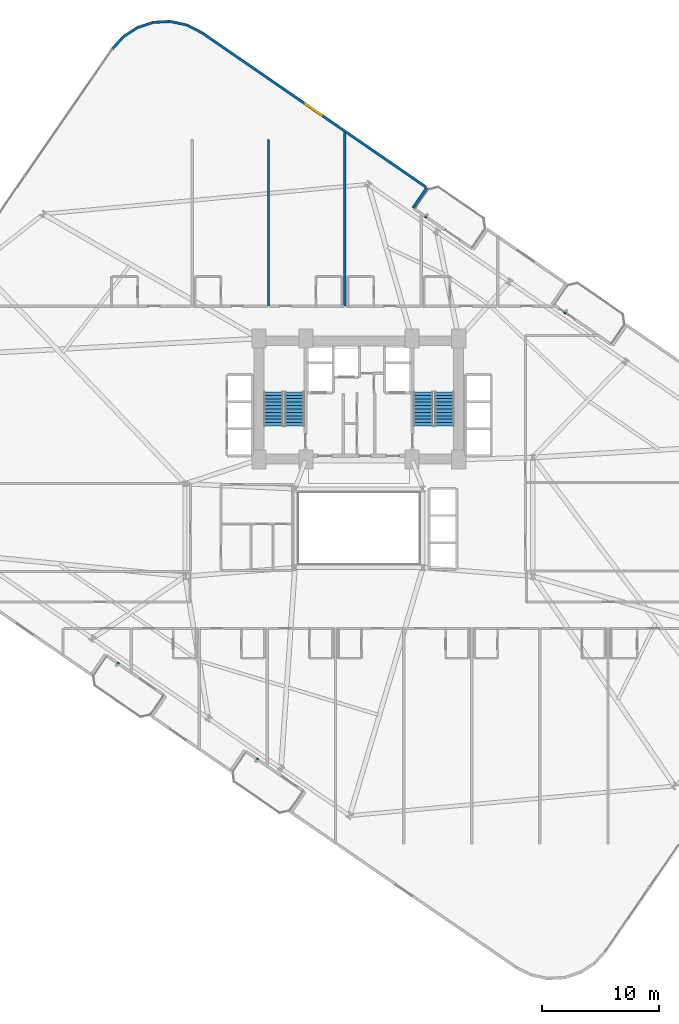
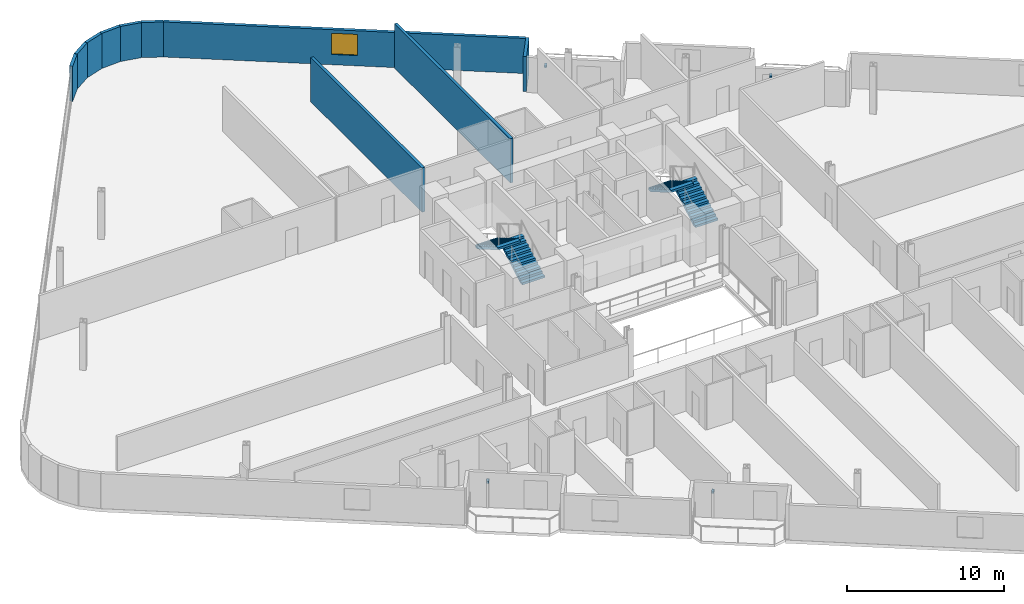
# One storey, part 22 of 25: 10 walls, 4 discrete accessories, 4 stair flights, 1 window, 1 opening, 2 elements without a shape of their own.
"""IFC4 building model written with IfcOpenShell, lengths in metres."""

from ifc_helpers import new_model, si_unit, direction, frame, frame_2d, origin, origin_2d, place, context, subcontext, project, spatial, polyline, rectangle, outline, extrude, source, transform, mapped, material, layer, layer_set, type_object, element, fill, aggregate, save


model = new_model("IFC4")

# Units and contexts
model_context = context("Model", 3, precision=1e-05, world=origin(), true_north=direction((0.0, 1.0)))
body_context = subcontext(model_context, "Body", "Model", "MODEL_VIEW")
ifc_project = project(units=[si_unit("LENGTHUNIT", "METRE"), si_unit("AREAUNIT", "SQUARE_METRE"), si_unit("VOLUMEUNIT", "CUBIC_METRE"), si_unit("PLANEANGLEUNIT", "RADIAN"), si_unit("MASSUNIT", "GRAM", prefix="KILO")], contexts=[model_context])

# Site, building, storey
site_placement = place(None, origin())
site = spatial("IfcSite", under=ifc_project, at=site_placement, CompositionType="ELEMENT")
building_placement = place(site_placement, origin())
building = spatial("IfcBuilding", under=site, at=building_placement, Name="Varnelok Gate Tower", CompositionType="ELEMENT")
storey_placement = place(building_placement, frame((0.0, 0.0, 64.0)))
storey = spatial("IfcBuildingStorey", under=building, at=storey_placement, Name="L15", CompositionType="ELEMENT", Elevation=64.0)

# Wall
ifc_material_1 = material(Name="Concrete C45/55", Category="concrete")
ifc_layer_1 = layer(ifc_material_1, 0.219970703125)
ifc_layer_set_1 = layer_set([ifc_layer_1], Name="Concrete C45/55")
wall_type_1 = type_object("IfcWallType", Name="EW-BALC-220", PredefinedType="SOLIDWALL", material=ifc_layer_set_1)
wall_1_placement = place(storey_placement, frame((43.793701171875, 50.161376953125, 0.0), z_axis=(0.0, 0.0, 1.0), x_axis=(0.567352541689, 0.823475010816, 0.0)))
element("IfcWall", 1, at=wall_1_placement, inside=storey, type_object=wall_type_1, Name="L15 Perimeter Facade Closure Wall 31", PredefinedType="SOLIDWALL", context=body_context, shape_type="SweptSolid", body=[
    extrude(rectangle(XDim=2.099853515625, YDim=0.219970703125, at=frame_2d((1.0498046875, 0.0))), origin(), (0.0, 0.0, 1.0), 2.72998046875),
])

# Wall, opening, window
wall_2_placement = place(storey_placement, frame((44.882080078125, 51.961669921875, 0.0), z_axis=(0.0, 0.0, 1.0), x_axis=(-0.823534427573, 0.567266292497, 0.0)))
wall_2 = element("IfcWall", 2, at=wall_2_placement, inside=storey, type_object=wall_type_1, Name="L15 Perimeter Facade Closure Wall 32", PredefinedType="SOLIDWALL", context=body_context, shape_type="SweptSolid", body=[
    extrude(rectangle(XDim=23.147216796875, YDim=0.219970703125, at=frame_2d((11.57373046875, 0.0))), origin(), (0.0, 0.0, 1.0), 2.72998046875),
])
opening_placement = place(wall_2_placement, frame((10.74853515625, 0.0, 0.800048828125)))
opening = element("IfcOpeningElement", 3, at=opening_placement, cuts=wall_2, Name="Opening WN3", PredefinedType="OPENING", context=body_context, shape_type="SweptSolid", body=[
    extrude(rectangle(XDim=1.64990234375, YDim=1.64990234375, at=frame_2d((0.824951171875, 0.824951171875))), frame((0.0, 0.119873046875, 0.0), z_axis=(0.0, -1.0, 0.0), x_axis=(1.0, 0.0, 0.0)), (0.0, 0.0, 1.0), 0.239990234375),
])
ifc_material_2 = material(Name="Low-E Laminated Double Glazing IGU", Category="glass")
window_type = type_object("IfcWindowType", Name="WN-HTL-1650", PartitioningType="SINGLE_PANEL", PredefinedType="WINDOW", material=ifc_material_2)
window_placement = place(opening_placement, origin())
window = element("IfcWindow", 4, at=window_placement, inside=storey, type_object=window_type, Name="L15 Perimeter Vision Window 32", OverallHeight=1.64990234375, OverallWidth=1.64990234375, PartitioningType="SINGLE_PANEL", PredefinedType="WINDOW", context=body_context, shape_type="SweptSolid", body=[
    extrude(rectangle(XDim=1.64990234375, YDim=1.64990234375, at=frame_2d((0.824951171875, 0.824951171875))), frame((0.0, 0.030029296875, 0.0), z_axis=(0.0, -1.0, 0.0), x_axis=(1.0, 0.0, 0.0)), (0.0, 0.0, 1.0), 0.06005859375),
])
fill(opening, window)

# Walls
wall_3_placement = place(storey_placement, frame((25.79736328125, 65.103759765625, 0.0), z_axis=(0.0, 0.0, 1.0), x_axis=(-0.890559109247, 0.454867533394, 0.0)))
element("IfcWall", 5, at=wall_3_placement, inside=storey, type_object=wall_type_1, Name="L15 Perimeter Facade Closure Wall 33", PredefinedType="SOLIDWALL", context=body_context, shape_type="SweptSolid", body=[
    extrude(rectangle(XDim=1.4130859375, YDim=0.219970703125, at=frame_2d((0.70654296875, 0.0))), origin(), (0.0, 0.0, 1.0), 2.72998046875),
])
for number, where, z_axis, x_axis, name in (
    (6, (24.514404296875, 65.751953125, 0.0), (0.0, 0.0, 1.0), (-0.977952168511, 0.208829011645, 0.0), "L15 Perimeter Facade Closure Wall 34"),
    (7, (23.114990234375, 66.044189453125, 0.0), (0.0, 0.0, 1.0), (-0.998685611917, -0.051254741739, 0.0), "L15 Perimeter Facade Closure Wall 35"),
    (8, (21.68798828125, 65.96435546875, 0.0), (0.0, 0.0, 1.0), (-0.951375653596, -0.308033059501, 0.0), "L15 Perimeter Facade Closure Wall 36"),
    (9, (20.330078125, 65.517822265625, 0.0), (0.0, 0.0, 1.0), (-0.839327688057, -0.543625819899, 0.0), "L15 Perimeter Facade Closure Wall 37"),
    (10, (19.1337890625, 64.735107421875, 0.0), (0.0, 0.0, 1.0), (-0.669952842826, -0.742403655964, 0.0), "L15 Perimeter Facade Closure Wall 38"),
):
    element("IfcWall", number, at=place(storey_placement, frame(where, z_axis=z_axis, x_axis=x_axis)), inside=storey, type_object=wall_type_1, Name=name, PredefinedType="SOLIDWALL", context=body_context, shape_type="SweptSolid", body=[
        extrude(rectangle(XDim=1.4052734375, YDim=0.219970703125, at=frame_2d((0.70263671875, 0.0))), origin(), (0.0, 0.0, 1.0), 2.72998046875),
    ])
ifc_material_3 = material(Name="Gypsum Plasterboard Acoustic Partition", Category="gypsum")
ifc_layer_2 = layer(ifc_material_3, 0.205078125)
ifc_layer_set_2 = layer_set([ifc_layer_2], Name="Gypsum Plasterboard Acoustic Partition")
wall_type_2 = type_object("IfcWallType", Name="PW-PARTY-200", PredefinedType="PARTITIONING", material=ifc_layer_set_2)
wall_4_placement = place(storey_placement, frame((31.5, 41.800048828125, 0.0), z_axis=(0.0, 0.0, 1.0), x_axis=(0.0, 1.0, 0.0)))
element("IfcWall", 11, at=wall_4_placement, inside=storey, type_object=wall_type_2, Name="L15 North Party Wall 2", PredefinedType="PARTITIONING", context=body_context, shape_type="SweptSolid", body=[
    extrude(rectangle(XDim=14.199951171875, YDim=0.205078125, at=frame_2d((7.10009765625, 0.0))), origin(), (0.0, 0.0, 1.0), 3.449951171875),
])
wall_5_placement = place(storey_placement, frame((38.0, 41.800048828125, 0.0), z_axis=(0.0, 0.0, 1.0), x_axis=(0.0, 1.0, 0.0)))
element("IfcWall", 12, at=wall_5_placement, inside=storey, type_object=wall_type_2, Name="L15 North Party Wall 3", PredefinedType="PARTITIONING", context=body_context, shape_type="SweptSolid", body=[
    extrude(rectangle(XDim=14.797119140625, YDim=0.205078125, at=frame_2d((7.3984375, 0.0))), origin(), (0.0, 0.0, 1.0), 3.449951171875),
])

# Stair, stair flights
ifc_material_4 = material(Name="Concrete C50/60", Category="concrete")
stair_type = type_object("IfcStairType", Name="STR-CORE-1650", PredefinedType="HALF_TURN_STAIR", material=ifc_material_4)
stair_1_placement = place(storey_placement, origin())
stair_1 = element("IfcStair", 13, at=stair_1_placement, inside=storey, type_object=stair_type, Name="L15 Exit Stair ST-1", PredefinedType="HALF_TURN_STAIR")
stair_flight_type = type_object("IfcStairFlightType", Name="SFL-CORE-1650", PredefinedType="STRAIGHT", material=ifc_material_4)
stair_flight_1_placement = place(storey_placement, frame((33.72509765625, 31.60009765625, 0.0), z_axis=(0.0, 0.0, 1.0), x_axis=(0.0, 1.0, 0.0)))
stair_flight_1 = element("IfcStairFlight", 14, at=stair_flight_1_placement, type_object=stair_flight_type, Name="ST-1 flight 1", NumberOfRisers=11, NumberOfTreads=10, PredefinedType="STRAIGHT", RiserHeight=0.168181818, TreadLength=0.29, context=body_context, shape_type="SweptSolid", body=[
    extrude(outline(polyline([(0.0, 0.0), (0.0, 0.168212890625), (0.2900390625, 0.168212890625), (0.2900390625, 0.33642578125), (0.580078125, 0.33642578125), (0.580078125, 0.504638671875), (0.8701171875, 0.504638671875), (0.8701171875, 0.672607421875), (1.159912109375, 0.672607421875), (1.159912109375, 0.8408203125), (1.449951171875, 0.8408203125), (1.449951171875, 1.009033203125), (1.739990234375, 1.009033203125), (1.739990234375, 1.17724609375), (2.030029296875, 1.17724609375), (2.030029296875, 1.345458984375), (2.320068359375, 1.345458984375), (2.320068359375, 1.513671875), (2.610107421875, 1.513671875), (2.610107421875, 1.681884765625), (2.89990234375, 1.681884765625), (2.89990234375, 1.85009765625), (2.89990234375, 1.508544921875), (0.298828125, 0.0), (0.0, 0.0)])), frame((0.0, 0.824951171875, 0.0), z_axis=(0.0, -1.0, 0.0), x_axis=(1.0, 0.0, 0.0)), (0.0, 0.0, 1.0), 1.64990234375),
])
stair_flight_2_placement = place(storey_placement, frame((31.925048828125, 34.5, 1.85009765625), z_axis=(0.0, 0.0, 1.0), x_axis=(0.0, -1.0, 0.0)))
stair_flight_2 = element("IfcStairFlight", 15, at=stair_flight_2_placement, type_object=stair_flight_type, Name="ST-1 flight 2", NumberOfRisers=11, NumberOfTreads=10, PredefinedType="STRAIGHT", RiserHeight=0.168181818, TreadLength=0.29, context=body_context, shape_type="SweptSolid", body=[
    extrude(outline(polyline([(0.0, 0.0), (0.0, 0.168212890625), (0.2900390625, 0.168212890625), (0.2900390625, 0.33642578125), (0.580078125, 0.33642578125), (0.580078125, 0.504638671875), (0.8701171875, 0.504638671875), (0.8701171875, 0.672607421875), (1.159912109375, 0.672607421875), (1.159912109375, 0.8408203125), (1.449951171875, 0.8408203125), (1.449951171875, 1.009033203125), (1.739990234375, 1.009033203125), (1.739990234375, 1.17724609375), (2.030029296875, 1.17724609375), (2.030029296875, 1.345458984375), (2.320068359375, 1.345458984375), (2.320068359375, 1.513671875), (2.610107421875, 1.513671875), (2.610107421875, 1.681884765625), (2.89990234375, 1.681884765625), (2.89990234375, 1.85009765625), (2.89990234375, 1.508544921875), (0.298828125, 0.0), (0.0, 0.0)])), frame((0.0, 0.824951171875, 0.0), z_axis=(0.0, -1.0, 0.0), x_axis=(1.0, 0.0, 0.0)), (0.0, 0.0, 1.0), 1.64990234375),
])
aggregate(stair_1, [stair_flight_1, stair_flight_2])

stair_2_placement = place(storey_placement, origin())
stair_2 = element("IfcStair", 16, at=stair_2_placement, inside=storey, type_object=stair_type, Name="L15 Exit Stair ST-2", PredefinedType="HALF_TURN_STAIR")
stair_flight_3_placement = place(storey_placement, frame((46.47509765625, 31.60009765625, 0.0), z_axis=(0.0, 0.0, 1.0), x_axis=(0.0, 1.0, 0.0)))
stair_flight_3 = element("IfcStairFlight", 17, at=stair_flight_3_placement, type_object=stair_flight_type, Name="ST-2 flight 1", NumberOfRisers=11, NumberOfTreads=10, PredefinedType="STRAIGHT", RiserHeight=0.168181818, TreadLength=0.29, context=body_context, shape_type="SweptSolid", body=[
    extrude(outline(polyline([(0.0, 0.0), (0.0, 0.168212890625), (0.2900390625, 0.168212890625), (0.2900390625, 0.33642578125), (0.580078125, 0.33642578125), (0.580078125, 0.504638671875), (0.8701171875, 0.504638671875), (0.8701171875, 0.672607421875), (1.159912109375, 0.672607421875), (1.159912109375, 0.8408203125), (1.449951171875, 0.8408203125), (1.449951171875, 1.009033203125), (1.739990234375, 1.009033203125), (1.739990234375, 1.17724609375), (2.030029296875, 1.17724609375), (2.030029296875, 1.345458984375), (2.320068359375, 1.345458984375), (2.320068359375, 1.513671875), (2.610107421875, 1.513671875), (2.610107421875, 1.681884765625), (2.89990234375, 1.681884765625), (2.89990234375, 1.85009765625), (2.89990234375, 1.508544921875), (0.298828125, 0.0), (0.0, 0.0)])), frame((0.0, 0.824951171875, 0.0), z_axis=(0.0, -1.0, 0.0), x_axis=(1.0, 0.0, 0.0)), (0.0, 0.0, 1.0), 1.64990234375),
])
stair_flight_4_placement = place(storey_placement, frame((44.675048828125, 34.5, 1.85009765625), z_axis=(0.0, 0.0, 1.0), x_axis=(0.0, -1.0, 0.0)))
stair_flight_4 = element("IfcStairFlight", 18, at=stair_flight_4_placement, type_object=stair_flight_type, Name="ST-2 flight 2", NumberOfRisers=11, NumberOfTreads=10, PredefinedType="STRAIGHT", RiserHeight=0.168181818, TreadLength=0.29, context=body_context, shape_type="SweptSolid", body=[
    extrude(outline(polyline([(0.0, 0.0), (0.0, 0.168212890625), (0.2900390625, 0.168212890625), (0.2900390625, 0.33642578125), (0.580078125, 0.33642578125), (0.580078125, 0.504638671875), (0.8701171875, 0.504638671875), (0.8701171875, 0.672607421875), (1.159912109375, 0.672607421875), (1.159912109375, 0.8408203125), (1.449951171875, 0.8408203125), (1.449951171875, 1.009033203125), (1.739990234375, 1.009033203125), (1.739990234375, 1.17724609375), (2.030029296875, 1.17724609375), (2.030029296875, 1.345458984375), (2.320068359375, 1.345458984375), (2.320068359375, 1.513671875), (2.610107421875, 1.513671875), (2.610107421875, 1.681884765625), (2.89990234375, 1.681884765625), (2.89990234375, 1.85009765625), (2.89990234375, 1.508544921875), (0.298828125, 0.0), (0.0, 0.0)])), frame((0.0, 0.824951171875, 0.0), z_axis=(0.0, -1.0, 0.0), x_axis=(1.0, 0.0, 0.0)), (0.0, 0.0, 1.0), 1.64990234375),
])
aggregate(stair_2, [stair_flight_3, stair_flight_4])

# Discrete accessories
ifc_material_5 = material(Name="Structural Steel ASTM A500 Grade C", Category="steel")
discrete_accessory_type = type_object("IfcDiscreteAccessoryType", Name="ACC-BAGUETTE-BRK", PredefinedType="BRACKET", material=ifc_material_5)
shared_shape = source(origin(), body_context, "Body", "SweptSolid", [
    extrude(rectangle(XDim=0.159912109375, YDim=0.340087890625, at=origin_2d()), origin(), (0.0, 0.0, 1.0), 0.139892578125),
])
for number, where, z_axis, x_axis, name in (
    (19, (18.64453125, 11.32421875, 1.97998046875), (0.0, 0.0, 1.0), (0.823532597628, -0.567268949127, 0.0), "L15 Terracotta Baguette Bracket 1.1"),
    (20, (30.50341796875, 3.155517578125, 1.97998046875), (0.0, 0.0, 1.0), (0.823532597628, -0.567268949127, 0.0), "L15 Terracotta Baguette Bracket 2.1"),
    (21, (44.931884765625, 49.48681640625, 1.97998046875), (0.0, 0.0, 1.0), (0.823532597628, -0.567268949127, 0.0), "L15 Terracotta Baguette Bracket 3.1"),
    (22, (56.790771484375, 41.318115234375, 1.97998046875), (0.0, 0.0, 1.0), (0.823532597628, -0.567268949127, 0.0), "L15 Terracotta Baguette Bracket 4.1"),
):
    element("IfcDiscreteAccessory", number, at=place(storey_placement, frame(where, z_axis=z_axis, x_axis=x_axis)), inside=storey, type_object=discrete_accessory_type, Name=name, PredefinedType="BRACKET", context=body_context, shape_type="MappedRepresentation", body=[
        mapped(shared_shape, transform((0.0, 0.0, 0.0), scale=1.0)),
    ])

save(model, "model.ifc")
